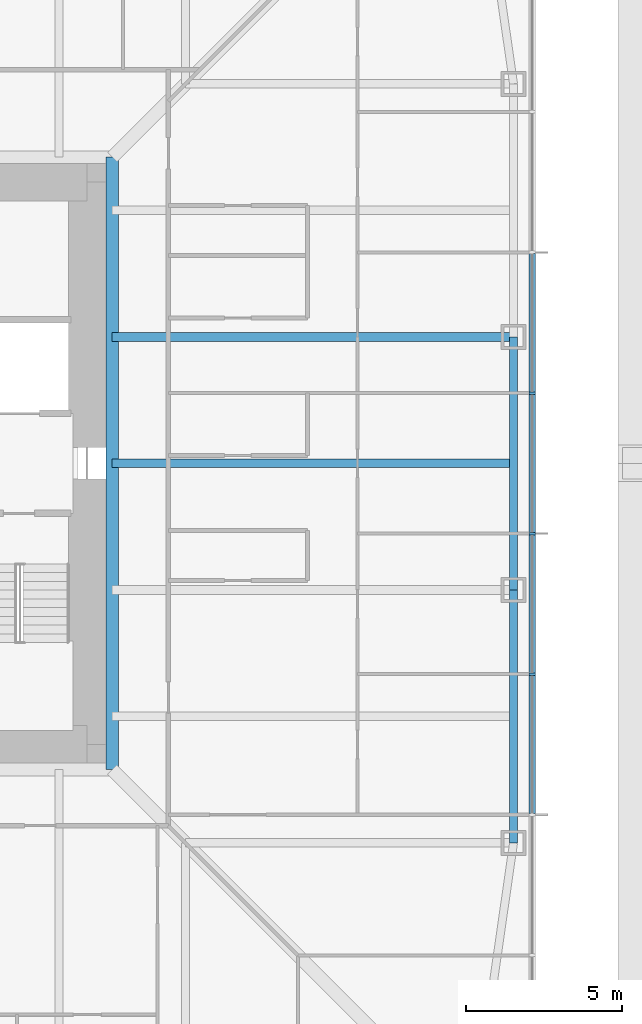
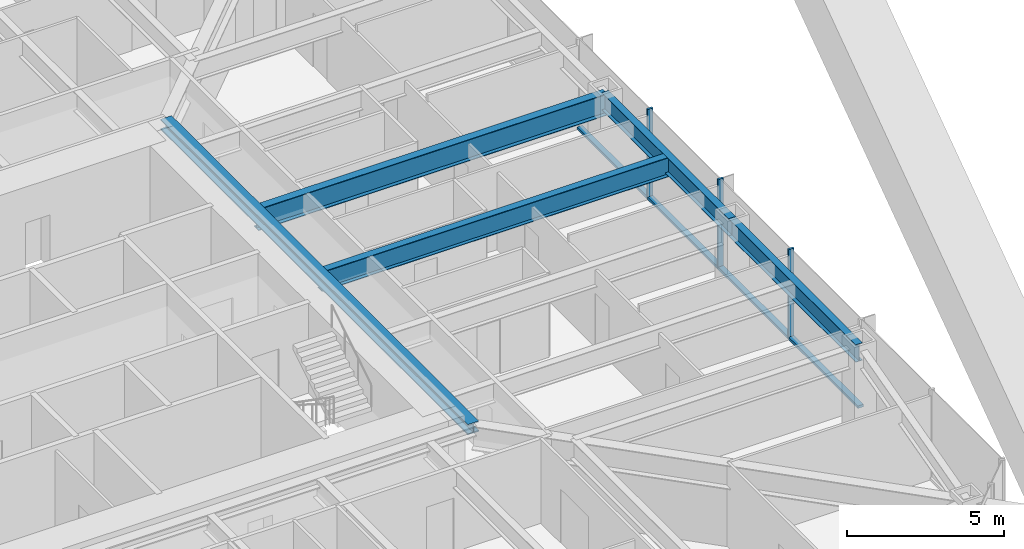
# One storey, part 6 of 28: 7 members, 5 beams, 1 element without a shape of its own.
"""IFC4 building model written with IfcOpenShell, lengths in metres."""

from ifc_helpers import new_model, si_unit, direction, frame, origin, origin_2d, place, context, subcontext, project, spatial, rectangle, i_section, extrude, material, material_profile, profile_set, type_object, element, aggregate, save


model = new_model("IFC4")

# Units and contexts
model_context = context("Model", 3, precision=1e-05, world=origin(), true_north=direction((0.0, 1.0)))
body_context = subcontext(model_context, "Body", "Model", "MODEL_VIEW")
ifc_project = project(units=[si_unit("LENGTHUNIT", "METRE"), si_unit("AREAUNIT", "SQUARE_METRE"), si_unit("VOLUMEUNIT", "CUBIC_METRE"), si_unit("PLANEANGLEUNIT", "RADIAN"), si_unit("MASSUNIT", "GRAM", prefix="KILO")], contexts=[model_context])

# Site, building, storey
site_placement = place(None, origin())
site = spatial("IfcSite", under=ifc_project, at=site_placement, CompositionType="ELEMENT")
building_placement = place(site_placement, origin())
building = spatial("IfcBuilding", under=site, at=building_placement, Name="Iwan Alto Co-Living Towers", CompositionType="ELEMENT")
storey_placement = place(building_placement, frame((0.0, 0.0, 43.0)))
storey = spatial("IfcBuildingStorey", under=building, at=storey_placement, Name="L11", CompositionType="ELEMENT", Elevation=43.0)

# Curtain wall, members
ifc_material_1 = material(Name="Bronze aluminium unitised frame", Category="aluminium")
curtain_wall_type = type_object("IfcCurtainWallType", Name="CURTAIN WALL CW-A", PredefinedType="NOTDEFINED", material=ifc_material_1)
curtain_wall_placement = place(storey_placement, origin())
curtain_wall = element("IfcCurtainWall", 1, at=curtain_wall_placement, inside=storey, type_object=curtain_wall_type, Name="T1 curtain wall E L11", PredefinedType="NOTDEFINED")
ifc_material_2 = material(Name="Aluminium 6063-T6 bronze anodised", Category="aluminium")
ifc_material_profile_1 = material_profile(ifc_material_2, rectangle(XDim=0.199951171875, YDim=0.080078125, at=origin_2d()), Name="AL 80X200")
ifc_profile_set_1 = profile_set([ifc_material_profile_1], Name="Aluminium 6063-T6 bronze anodised")
member_type_1 = type_object("IfcMemberType", Name="CW-A MULLION 80X200", PredefinedType="MULLION", material=ifc_profile_set_1)
member_1_placement = place(storey_placement, frame((23.25, -6.75, 0.0), z_axis=(0.0, 0.0, 1.0), x_axis=(-1.0, 0.0, 0.0)))
member_1 = element("IfcMember", 2, at=member_1_placement, type_object=member_type_1, Name="CW-A mullion 4", PredefinedType="MULLION", context=body_context, shape_type="SweptSolid", body=[
    extrude(rectangle(XDim=0.199951171875, YDim=0.080078125, at=origin_2d()), origin(), (0.0, 0.0, 1.0), 3.5),
])
member_2_placement = place(storey_placement, frame((23.25, -2.25, 0.0), z_axis=(0.0, 0.0, 1.0), x_axis=(-1.0, 0.0, 0.0)))
member_2 = element("IfcMember", 3, at=member_2_placement, type_object=member_type_1, Name="CW-A mullion 5", PredefinedType="MULLION", context=body_context, shape_type="SweptSolid", body=[
    extrude(rectangle(XDim=0.199951171875, YDim=0.080078125, at=origin_2d()), origin(), (0.0, 0.0, 1.0), 3.5),
])
member_3_placement = place(storey_placement, frame((23.25, 2.25, 0.0), z_axis=(0.0, 0.0, 1.0), x_axis=(-1.0, 0.0, 0.0)))
member_3 = element("IfcMember", 4, at=member_3_placement, type_object=member_type_1, Name="CW-A mullion 6", PredefinedType="MULLION", context=body_context, shape_type="SweptSolid", body=[
    extrude(rectangle(XDim=0.199951171875, YDim=0.080078125, at=origin_2d()), origin(), (0.0, 0.0, 1.0), 3.5),
])
ifc_material_3 = material(Name="Aluminium 6063-T6 bronze anodised", Category="aluminium")
ifc_material_profile_2 = material_profile(ifc_material_3, rectangle(XDim=0.199951171875, YDim=0.10009765625, at=origin_2d()), Name="AL 200X100")
ifc_profile_set_2 = profile_set([ifc_material_profile_2], Name="Aluminium 6063-T6 bronze anodised")
member_type_2 = type_object("IfcMemberType", Name="CW-A TRANSOM 200X100", PredefinedType="USERDEFINED", material=ifc_profile_set_2)
member_4_placement = place(storey_placement, frame((23.25, -11.2099609375, 0.050048828125), z_axis=(0.0, 1.0, 0.0), x_axis=(-1.0, 0.0, 0.0)))
member_4 = element("IfcMember", 5, at=member_4_placement, type_object=member_type_2, Name="CW-A transom 3.1", ObjectType="TRANSOM", PredefinedType="USERDEFINED", context=body_context, shape_type="SweptSolid", body=[
    extrude(rectangle(XDim=0.199951171875, YDim=0.10009765625, at=origin_2d()), origin(), (0.0, 0.0, 1.0), 4.419921875),
])
member_5_placement = place(storey_placement, frame((23.25, -6.7099609375, 0.050048828125), z_axis=(0.0, 1.0, 0.0), x_axis=(-1.0, 0.0, 0.0)))
member_5 = element("IfcMember", 6, at=member_5_placement, type_object=member_type_2, Name="CW-A transom 4.1", ObjectType="TRANSOM", PredefinedType="USERDEFINED", context=body_context, shape_type="SweptSolid", body=[
    extrude(rectangle(XDim=0.199951171875, YDim=0.10009765625, at=origin_2d()), origin(), (0.0, 0.0, 1.0), 4.419921875),
])
member_6_placement = place(storey_placement, frame((23.25, -2.2099609375, 0.050048828125), z_axis=(0.0, 1.0, 0.0), x_axis=(-1.0, 0.0, 0.0)))
member_6 = element("IfcMember", 7, at=member_6_placement, type_object=member_type_2, Name="CW-A transom 5.1", ObjectType="TRANSOM", PredefinedType="USERDEFINED", context=body_context, shape_type="SweptSolid", body=[
    extrude(rectangle(XDim=0.199951171875, YDim=0.10009765625, at=origin_2d()), origin(), (0.0, 0.0, 1.0), 4.419921875),
])
member_7_placement = place(storey_placement, frame((23.25, 2.2900390625, 0.050048828125), z_axis=(0.0, 1.0, 0.0), x_axis=(-1.0, 0.0, 0.0)))
member_7 = element("IfcMember", 8, at=member_7_placement, type_object=member_type_2, Name="CW-A transom 6.1", ObjectType="TRANSOM", PredefinedType="USERDEFINED", context=body_context, shape_type="SweptSolid", body=[
    extrude(rectangle(XDim=0.199951171875, YDim=0.10009765625, at=origin_2d()), origin(), (0.0, 0.0, 1.0), 4.419921875),
])
aggregate(curtain_wall, [member_1, member_2, member_3, member_4, member_5, member_6, member_7])

# Beams
ifc_material_4 = material(Name="Steel ASTM A992 Gr 50", Category="steel")
ifc_material_profile_3 = material_profile(ifc_material_4, i_section(OverallWidth=0.40380859375, OverallDepth=0.406494140625, WebThickness=0.027099609375, FlangeThickness=0.043701171875, at=origin_2d()), Name="W14X233")
ifc_profile_set_3 = profile_set([ifc_material_profile_3], Name="Steel ASTM A992 Gr 50")
beam_type_1 = type_object("IfcBeamType", Name="T1 CORE LEDGER BEAM W14X233", PredefinedType="BEAM", material=ifc_profile_set_3)
beam_1_placement = place(storey_placement, frame((9.802001953125, -9.802001953125, 3.06689453125), z_axis=(0.0, 1.0, 0.0), x_axis=(-1.0, 0.0, 0.0)))
element("IfcBeam", 9, at=beam_1_placement, inside=storey, type_object=beam_type_1, Name="T1 core ledger beam E L12", PredefinedType="BEAM", context=body_context, shape_type="SweptSolid", body=[
    extrude(i_section(OverallWidth=0.40380859375, OverallDepth=0.406494140625, WebThickness=0.027099609375, FlangeThickness=0.043701171875, at=origin_2d()), origin(), (0.0, 0.0, 1.0), 19.60400390625),
])
ifc_material_5 = material(Name="Steel ASTM A992 Gr 50", Category="steel")
ifc_material_profile_4 = material_profile(ifc_material_5, i_section(OverallWidth=0.25390625, OverallDepth=0.683349609375, WebThickness=0.012451171875, FlangeThickness=0.018798828125, at=origin_2d()), Name="W27X94")
ifc_profile_set_4 = profile_set([ifc_material_profile_4], Name="Steel ASTM A992 Gr 50")
beam_type_2 = type_object("IfcBeamType", Name="T1 EDGE BEAM W27X94", PredefinedType="BEAM", material=ifc_profile_set_4)
beam_2_placement = place(storey_placement, frame((22.64990234375, -12.14990234375, 2.928466796875), z_axis=(0.0, 1.0, 0.0), x_axis=(-1.0, 0.0, 0.0)))
element("IfcBeam", 10, at=beam_2_placement, inside=storey, type_object=beam_type_2, Name="T1 edge beam E1 L12", PredefinedType="BEAM", context=body_context, shape_type="SweptSolid", body=[
    extrude(i_section(OverallWidth=0.25390625, OverallDepth=0.683349609375, WebThickness=0.012451171875, FlangeThickness=0.018798828125, at=origin_2d()), origin(), (0.0, 0.0, 1.0), 8.099853515625),
])
beam_3_placement = place(storey_placement, frame((22.64990234375, -4.050048828125, 2.928466796875), z_axis=(0.0, 1.0, 0.0), x_axis=(-1.0, 0.0, 0.0)))
element("IfcBeam", 11, at=beam_3_placement, inside=storey, type_object=beam_type_2, Name="T1 edge beam E2 L12", PredefinedType="BEAM", context=body_context, shape_type="SweptSolid", body=[
    extrude(i_section(OverallWidth=0.25390625, OverallDepth=0.683349609375, WebThickness=0.012451171875, FlangeThickness=0.018798828125, at=origin_2d()), origin(), (0.0, 0.0, 1.0), 8.10009765625),
])
ifc_material_6 = material(Name="Steel ASTM A992 Gr 50", Category="steel")
ifc_material_profile_5 = material_profile(ifc_material_6, i_section(OverallWidth=0.2919921875, OverallDepth=0.8408203125, WebThickness=0.0146484375, FlangeThickness=0.021728515625, at=origin_2d()), Name="W33X130")
ifc_profile_set_5 = profile_set([ifc_material_profile_5], Name="Steel ASTM A992 Gr 50")
beam_type_3 = type_object("IfcBeamType", Name="T1 RADIAL BEAM W33X130", PredefinedType="BEAM", material=ifc_profile_set_5)
beam_4_placement = place(storey_placement, frame((22.64990234375, 4.050048828125, 2.849609375), z_axis=(-1.0, 0.0, 0.0), x_axis=(0.0, -1.0, 0.0)))
element("IfcBeam", 12, at=beam_4_placement, inside=storey, type_object=beam_type_3, Name="T1 radial beam E3 L12", PredefinedType="BEAM", context=body_context, shape_type="SweptSolid", body=[
    extrude(i_section(OverallWidth=0.2919921875, OverallDepth=0.8408203125, WebThickness=0.0146484375, FlangeThickness=0.021728515625, at=origin_2d()), origin(), (0.0, 0.0, 1.0), 12.847900390625),
])
ifc_material_7 = material(Name="Steel ASTM A992 Gr 50", Category="steel")
ifc_material_profile_6 = material_profile(ifc_material_7, i_section(OverallWidth=0.2666015625, OverallDepth=0.761962890625, WebThickness=0.014404296875, FlangeThickness=0.021484375, at=origin_2d()), Name="W30X116")
ifc_profile_set_6 = profile_set([ifc_material_profile_6], Name="Steel ASTM A992 Gr 50")
beam_type_4 = type_object("IfcBeamType", Name="T1 SECONDARY BEAM W30X116", PredefinedType="JOIST", material=ifc_profile_set_6)
beam_5_placement = place(storey_placement, frame((22.64990234375, 0.0, 2.888916015625), z_axis=(-1.0, 0.0, 0.0), x_axis=(0.0, -1.0, 0.0)))
element("IfcBeam", 13, at=beam_5_placement, inside=storey, type_object=beam_type_4, Name="T1 secondary beam E2 L12", PredefinedType="JOIST", context=body_context, shape_type="SweptSolid", body=[
    extrude(i_section(OverallWidth=0.2666015625, OverallDepth=0.761962890625, WebThickness=0.014404296875, FlangeThickness=0.021484375, at=origin_2d()), origin(), (0.0, 0.0, 1.0), 12.847900390625),
])

save(model, "model.ifc")
